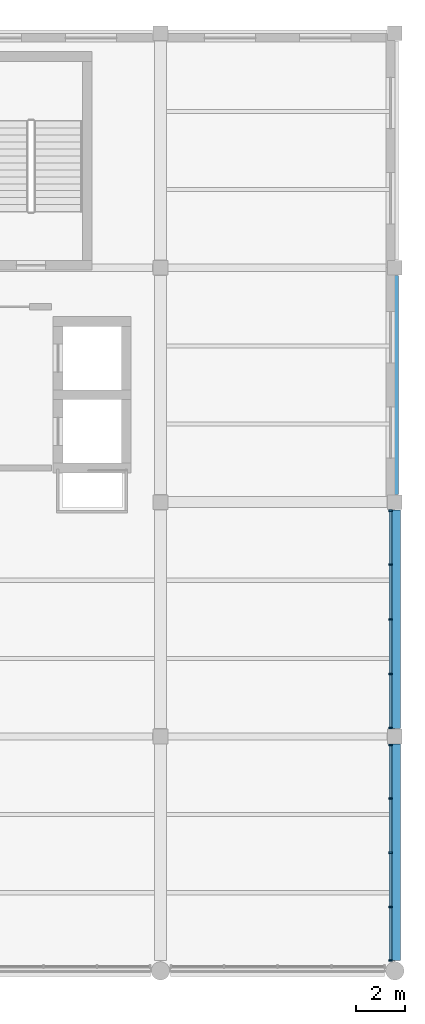
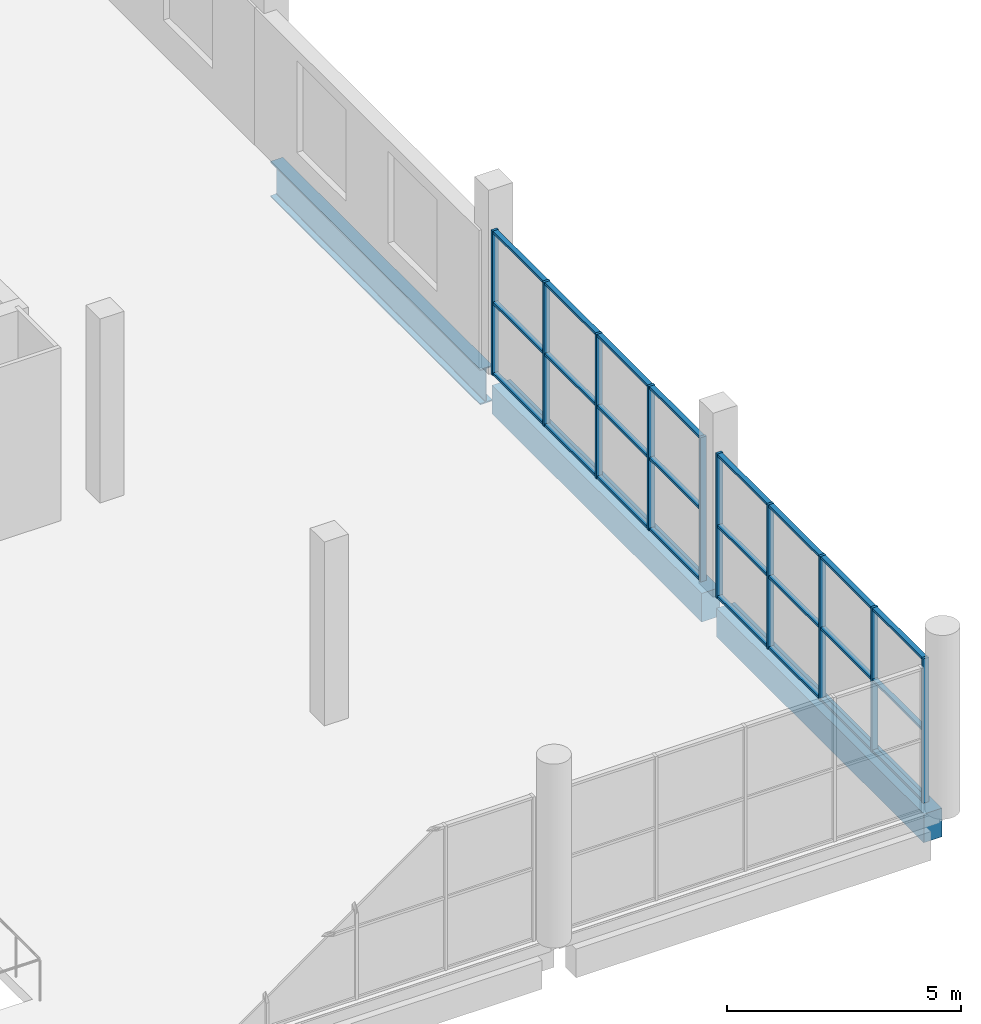
# One storey, part 42 of 99: 34 members, 3 beams, 2 elements without a shape of their own.
"""IFC4 building model written with IfcOpenShell, lengths in metres."""

from ifc_helpers import new_model, si_unit, direction, frame, origin, origin_2d, place, context, subcontext, project, spatial, rectangle, i_section, extrude, material, layer, layer_set, material_profile, profile_set, type_object, element, aggregate, save


model = new_model("IFC4")

# Units and contexts
model_context = context("Model", 3, precision=1e-05, world=origin(), true_north=direction((0.0, 1.0)))
body_context = subcontext(model_context, "Body", "Model", "MODEL_VIEW")
ifc_project = project(units=[si_unit("LENGTHUNIT", "METRE"), si_unit("AREAUNIT", "SQUARE_METRE"), si_unit("VOLUMEUNIT", "CUBIC_METRE"), si_unit("PLANEANGLEUNIT", "RADIAN"), si_unit("MASSUNIT", "GRAM", prefix="KILO")], contexts=[model_context])

# Site, building, storey
site_placement = place(None, origin())
site = spatial("IfcSite", under=ifc_project, at=site_placement, CompositionType="ELEMENT")
building_placement = place(site_placement, origin())
building = spatial("IfcBuilding", under=site, at=building_placement, Name="Caelomonte Colonnade Arena", CompositionType="ELEMENT")
storey_placement = place(building_placement, frame((0.0, 0.0, 4.800048828125)))
storey = spatial("IfcBuildingStorey", under=building, at=storey_placement, Name="L01", CompositionType="ELEMENT", Elevation=4.800048828125)

# Curtain wall, members
ifc_material_1 = material(Name="Bronze anodised aluminium and low-E glazing", Category="aluminium")
ifc_layer_1 = layer(ifc_material_1, 0.179931640625)
ifc_layer_set_1 = layer_set([ifc_layer_1], Name="Bronze anodised aluminium and low-E glazing")
curtain_wall_type_1 = type_object("IfcCurtainWallType", Name="ENV-CW-CW-L01-92-38", PredefinedType="USERDEFINED", material=ifc_layer_set_1)
curtain_wall_1_placement = place(storey_placement, origin())
curtain_wall_1 = element("IfcCurtainWall", 1, at=curtain_wall_1_placement, inside=storey, type_object=curtain_wall_type_1, Name="L01 unitized curtain wall CW-L01-1918-0050", ObjectType="UNITIZED CURTAIN WALL", PredefinedType="USERDEFINED")
ifc_material_2 = material(Name="Bronze anodised aluminium AA6063-T6", Category="aluminium")
ifc_material_profile_1 = material_profile(ifc_material_2, rectangle(XDim=0.06494140625, YDim=0.14990234375, at=origin_2d()), Name="CWM-65X150")
ifc_profile_set_1 = profile_set([ifc_material_profile_1], Name="Bronze anodised aluminium AA6063-T6")
member_type_1 = type_object("IfcMemberType", Name="ENV-CW-MULL2", PredefinedType="MULLION", material=ifc_profile_set_1)
member_1_placement = place(storey_placement, frame((191.820068359375, 0.427490234375, 0.0), z_axis=(0.0, 0.0, 1.0), x_axis=(0.0, 1.0, 0.0)))
member_1 = element("IfcMember", 2, at=member_1_placement, type_object=member_type_1, Name="CW-L01-92-38 mullion 1", PredefinedType="MULLION", context=body_context, shape_type="SweptSolid", body=[
    extrude(rectangle(XDim=0.06494140625, YDim=0.14990234375, at=origin_2d()), origin(), (0.0, 0.0, 1.0), 3.77001953125),
])
member_2_placement = place(storey_placement, frame((191.820068359375, 2.6162109375, 0.0), z_axis=(0.0, 0.0, 1.0), x_axis=(0.0, 1.0, 0.0)))
member_2 = element("IfcMember", 3, at=member_2_placement, type_object=member_type_1, Name="CW-L01-92-38 mullion 2", PredefinedType="MULLION", context=body_context, shape_type="SweptSolid", body=[
    extrude(rectangle(XDim=0.06494140625, YDim=0.14990234375, at=origin_2d()), origin(), (0.0, 0.0, 1.0), 3.77001953125),
])
member_3_placement = place(storey_placement, frame((191.820068359375, 4.83740234375, 0.0), z_axis=(0.0, 0.0, 1.0), x_axis=(0.0, 1.0, 0.0)))
member_3 = element("IfcMember", 4, at=member_3_placement, type_object=member_type_1, Name="CW-L01-92-38 mullion 3", PredefinedType="MULLION", context=body_context, shape_type="SweptSolid", body=[
    extrude(rectangle(XDim=0.06494140625, YDim=0.14990234375, at=origin_2d()), origin(), (0.0, 0.0, 1.0), 3.77001953125),
])
member_4_placement = place(storey_placement, frame((191.820068359375, 7.058837890625, 0.0), z_axis=(0.0, 0.0, 1.0), x_axis=(0.0, 1.0, 0.0)))
member_4 = element("IfcMember", 5, at=member_4_placement, type_object=member_type_1, Name="CW-L01-92-38 mullion 4", PredefinedType="MULLION", context=body_context, shape_type="SweptSolid", body=[
    extrude(rectangle(XDim=0.06494140625, YDim=0.14990234375, at=origin_2d()), origin(), (0.0, 0.0, 1.0), 3.77001953125),
])
member_5_placement = place(storey_placement, frame((191.820068359375, 9.24755859375, 0.0), z_axis=(0.0, 0.0, 1.0), x_axis=(0.0, 1.0, 0.0)))
member_5 = element("IfcMember", 6, at=member_5_placement, type_object=member_type_1, Name="CW-L01-92-38 mullion 5", PredefinedType="MULLION", context=body_context, shape_type="SweptSolid", body=[
    extrude(rectangle(XDim=0.06494140625, YDim=0.14990234375, at=origin_2d()), origin(), (0.0, 0.0, 1.0), 3.77001953125),
])

ifc_layer_2 = layer(ifc_material_1, 0.179931640625)
ifc_layer_set_2 = layer_set([ifc_layer_2], Name="Bronze anodised aluminium and low-E glazing")
curtain_wall_type_2 = type_object("IfcCurtainWallType", Name="ENV-CW-CW-L01-96-38", PredefinedType="USERDEFINED", material=ifc_layer_set_2)
curtain_wall_2_placement = place(storey_placement, origin())
curtain_wall_2 = element("IfcCurtainWall", 7, at=curtain_wall_2_placement, inside=storey, type_object=curtain_wall_type_2, Name="L01 unitized curtain wall CW-L01-1918-0144", ObjectType="UNITIZED CURTAIN WALL", PredefinedType="USERDEFINED")
member_6_placement = place(storey_placement, frame((191.820068359375, 9.952392578125, 0.0), z_axis=(0.0, 0.0, 1.0), x_axis=(0.0, 1.0, 0.0)))
member_6 = element("IfcMember", 8, at=member_6_placement, type_object=member_type_1, Name="CW-L01-96-38 mullion 1", PredefinedType="MULLION", context=body_context, shape_type="SweptSolid", body=[
    extrude(rectangle(XDim=0.06494140625, YDim=0.14990234375, at=origin_2d()), origin(), (0.0, 0.0, 1.0), 3.77001953125),
])
member_7_placement = place(storey_placement, frame((191.820068359375, 12.159912109375, 0.0), z_axis=(0.0, 0.0, 1.0), x_axis=(0.0, 1.0, 0.0)))
member_7 = element("IfcMember", 9, at=member_7_placement, type_object=member_type_1, Name="CW-L01-96-38 mullion 2", PredefinedType="MULLION", context=body_context, shape_type="SweptSolid", body=[
    extrude(rectangle(XDim=0.06494140625, YDim=0.14990234375, at=origin_2d()), origin(), (0.0, 0.0, 1.0), 3.77001953125),
])
member_8_placement = place(storey_placement, frame((191.820068359375, 14.39990234375, 0.0), z_axis=(0.0, 0.0, 1.0), x_axis=(0.0, 1.0, 0.0)))
member_8 = element("IfcMember", 10, at=member_8_placement, type_object=member_type_1, Name="CW-L01-96-38 mullion 3", PredefinedType="MULLION", context=body_context, shape_type="SweptSolid", body=[
    extrude(rectangle(XDim=0.06494140625, YDim=0.14990234375, at=origin_2d()), origin(), (0.0, 0.0, 1.0), 3.77001953125),
])
member_9_placement = place(storey_placement, frame((191.820068359375, 16.639892578125, 0.0), z_axis=(0.0, 0.0, 1.0), x_axis=(0.0, 1.0, 0.0)))
member_9 = element("IfcMember", 11, at=member_9_placement, type_object=member_type_1, Name="CW-L01-96-38 mullion 4", PredefinedType="MULLION", context=body_context, shape_type="SweptSolid", body=[
    extrude(rectangle(XDim=0.06494140625, YDim=0.14990234375, at=origin_2d()), origin(), (0.0, 0.0, 1.0), 3.77001953125),
])
member_10_placement = place(storey_placement, frame((191.820068359375, 18.847412109375, 0.0), z_axis=(0.0, 0.0, 1.0), x_axis=(0.0, 1.0, 0.0)))
member_10 = element("IfcMember", 12, at=member_10_placement, type_object=member_type_1, Name="CW-L01-96-38 mullion 5", PredefinedType="MULLION", context=body_context, shape_type="SweptSolid", body=[
    extrude(rectangle(XDim=0.06494140625, YDim=0.14990234375, at=origin_2d()), origin(), (0.0, 0.0, 1.0), 3.77001953125),
])

# Member
ifc_material_profile_2 = material_profile(ifc_material_2, rectangle(XDim=0.06494140625, YDim=0.1201171875, at=origin_2d()), Name="CWT-65X120")
ifc_profile_set_2 = profile_set([ifc_material_profile_2], Name="Bronze anodised aluminium AA6063-T6")
member_type_2 = type_object("IfcMemberType", Name="ENV-CW-TRAN2", PredefinedType="USERDEFINED", material=ifc_profile_set_2)
member_11_placement = place(storey_placement, frame((191.820068359375, 0.4599609375, 0.032470703125), z_axis=(0.0, 1.0, 0.0), x_axis=(0.0, 0.0, 1.0)))
member_11 = element("IfcMember", 13, at=member_11_placement, type_object=member_type_2, Name="CW-L01-92-38 transom 1.1", ObjectType="TRANSOM", PredefinedType="USERDEFINED", context=body_context, shape_type="SweptSolid", body=[
    extrude(rectangle(XDim=0.06494140625, YDim=0.1201171875, at=origin_2d()), origin(), (0.0, 0.0, 1.0), 2.123779296875),
])

member_12_placement = place(storey_placement, frame((191.820068359375, 0.4599609375, 1.885009765625), z_axis=(0.0, 1.0, 0.0), x_axis=(0.0, 0.0, 1.0)))
member_12 = element("IfcMember", 14, at=member_12_placement, type_object=member_type_2, Name="CW-L01-92-38 transom 1.2", ObjectType="TRANSOM", PredefinedType="USERDEFINED", context=body_context, shape_type="SweptSolid", body=[
    extrude(rectangle(XDim=0.06494140625, YDim=0.1201171875, at=origin_2d()), origin(), (0.0, 0.0, 1.0), 2.123779296875),
])

member_13_placement = place(storey_placement, frame((191.820068359375, 0.4599609375, 3.737548828125), z_axis=(0.0, 1.0, 0.0), x_axis=(0.0, 0.0, 1.0)))
member_13 = element("IfcMember", 15, at=member_13_placement, type_object=member_type_2, Name="CW-L01-92-38 transom 1.3", ObjectType="TRANSOM", PredefinedType="USERDEFINED", context=body_context, shape_type="SweptSolid", body=[
    extrude(rectangle(XDim=0.06494140625, YDim=0.1201171875, at=origin_2d()), origin(), (0.0, 0.0, 1.0), 2.123779296875),
])

member_14_placement = place(storey_placement, frame((191.820068359375, 2.648681640625, 0.032470703125), z_axis=(0.0, 1.0, 0.0), x_axis=(0.0, 0.0, 1.0)))
member_14 = element("IfcMember", 16, at=member_14_placement, type_object=member_type_2, Name="CW-L01-92-38 transom 2.1", ObjectType="TRANSOM", PredefinedType="USERDEFINED", context=body_context, shape_type="SweptSolid", body=[
    extrude(rectangle(XDim=0.06494140625, YDim=0.1201171875, at=origin_2d()), origin(), (0.0, 0.0, 1.0), 2.15625),
])

member_15_placement = place(storey_placement, frame((191.820068359375, 2.648681640625, 1.885009765625), z_axis=(0.0, 1.0, 0.0), x_axis=(0.0, 0.0, 1.0)))
member_15 = element("IfcMember", 17, at=member_15_placement, type_object=member_type_2, Name="CW-L01-92-38 transom 2.2", ObjectType="TRANSOM", PredefinedType="USERDEFINED", context=body_context, shape_type="SweptSolid", body=[
    extrude(rectangle(XDim=0.06494140625, YDim=0.1201171875, at=origin_2d()), origin(), (0.0, 0.0, 1.0), 2.15625),
])

member_16_placement = place(storey_placement, frame((191.820068359375, 2.648681640625, 3.737548828125), z_axis=(0.0, 1.0, 0.0), x_axis=(0.0, 0.0, 1.0)))
member_16 = element("IfcMember", 18, at=member_16_placement, type_object=member_type_2, Name="CW-L01-92-38 transom 2.3", ObjectType="TRANSOM", PredefinedType="USERDEFINED", context=body_context, shape_type="SweptSolid", body=[
    extrude(rectangle(XDim=0.06494140625, YDim=0.1201171875, at=origin_2d()), origin(), (0.0, 0.0, 1.0), 2.15625),
])

member_17_placement = place(storey_placement, frame((191.820068359375, 4.8701171875, 0.032470703125), z_axis=(0.0, 1.0, 0.0), x_axis=(0.0, 0.0, 1.0)))
member_17 = element("IfcMember", 19, at=member_17_placement, type_object=member_type_2, Name="CW-L01-92-38 transom 3.1", ObjectType="TRANSOM", PredefinedType="USERDEFINED", context=body_context, shape_type="SweptSolid", body=[
    extrude(rectangle(XDim=0.06494140625, YDim=0.1201171875, at=origin_2d()), origin(), (0.0, 0.0, 1.0), 2.15625),
])

member_18_placement = place(storey_placement, frame((191.820068359375, 4.8701171875, 1.885009765625), z_axis=(0.0, 1.0, 0.0), x_axis=(0.0, 0.0, 1.0)))
member_18 = element("IfcMember", 20, at=member_18_placement, type_object=member_type_2, Name="CW-L01-92-38 transom 3.2", ObjectType="TRANSOM", PredefinedType="USERDEFINED", context=body_context, shape_type="SweptSolid", body=[
    extrude(rectangle(XDim=0.06494140625, YDim=0.1201171875, at=origin_2d()), origin(), (0.0, 0.0, 1.0), 2.15625),
])

member_19_placement = place(storey_placement, frame((191.820068359375, 4.8701171875, 3.737548828125), z_axis=(0.0, 1.0, 0.0), x_axis=(0.0, 0.0, 1.0)))
member_19 = element("IfcMember", 21, at=member_19_placement, type_object=member_type_2, Name="CW-L01-92-38 transom 3.3", ObjectType="TRANSOM", PredefinedType="USERDEFINED", context=body_context, shape_type="SweptSolid", body=[
    extrude(rectangle(XDim=0.06494140625, YDim=0.1201171875, at=origin_2d()), origin(), (0.0, 0.0, 1.0), 2.15625),
])

member_20_placement = place(storey_placement, frame((191.820068359375, 7.09130859375, 0.032470703125), z_axis=(0.0, 1.0, 0.0), x_axis=(0.0, 0.0, 1.0)))
member_20 = element("IfcMember", 22, at=member_20_placement, type_object=member_type_2, Name="CW-L01-92-38 transom 4.1", ObjectType="TRANSOM", PredefinedType="USERDEFINED", context=body_context, shape_type="SweptSolid", body=[
    extrude(rectangle(XDim=0.06494140625, YDim=0.1201171875, at=origin_2d()), origin(), (0.0, 0.0, 1.0), 2.123779296875),
])

member_21_placement = place(storey_placement, frame((191.820068359375, 7.09130859375, 1.885009765625), z_axis=(0.0, 1.0, 0.0), x_axis=(0.0, 0.0, 1.0)))
member_21 = element("IfcMember", 23, at=member_21_placement, type_object=member_type_2, Name="CW-L01-92-38 transom 4.2", ObjectType="TRANSOM", PredefinedType="USERDEFINED", context=body_context, shape_type="SweptSolid", body=[
    extrude(rectangle(XDim=0.06494140625, YDim=0.1201171875, at=origin_2d()), origin(), (0.0, 0.0, 1.0), 2.123779296875),
])

member_22_placement = place(storey_placement, frame((191.820068359375, 7.09130859375, 3.737548828125), z_axis=(0.0, 1.0, 0.0), x_axis=(0.0, 0.0, 1.0)))
member_22 = element("IfcMember", 24, at=member_22_placement, type_object=member_type_2, Name="CW-L01-92-38 transom 4.3", ObjectType="TRANSOM", PredefinedType="USERDEFINED", context=body_context, shape_type="SweptSolid", body=[
    extrude(rectangle(XDim=0.06494140625, YDim=0.1201171875, at=origin_2d()), origin(), (0.0, 0.0, 1.0), 2.123779296875),
])

aggregate(curtain_wall_1, [member_1, member_2, member_3, member_4, member_5, member_11, member_12, member_13, member_14, member_15, member_16, member_17, member_18, member_19, member_20, member_21, member_22])

member_23_placement = place(storey_placement, frame((191.820068359375, 9.985107421875, 0.032470703125), z_axis=(0.0, 1.0, 0.0), x_axis=(0.0, 0.0, 1.0)))
member_23 = element("IfcMember", 25, at=member_23_placement, type_object=member_type_2, Name="CW-L01-96-38 transom 1.1", ObjectType="TRANSOM", PredefinedType="USERDEFINED", context=body_context, shape_type="SweptSolid", body=[
    extrude(rectangle(XDim=0.06494140625, YDim=0.1201171875, at=origin_2d()), origin(), (0.0, 0.0, 1.0), 2.142333984375),
])

member_24_placement = place(storey_placement, frame((191.820068359375, 9.985107421875, 1.885009765625), z_axis=(0.0, 1.0, 0.0), x_axis=(0.0, 0.0, 1.0)))
member_24 = element("IfcMember", 26, at=member_24_placement, type_object=member_type_2, Name="CW-L01-96-38 transom 1.2", ObjectType="TRANSOM", PredefinedType="USERDEFINED", context=body_context, shape_type="SweptSolid", body=[
    extrude(rectangle(XDim=0.06494140625, YDim=0.1201171875, at=origin_2d()), origin(), (0.0, 0.0, 1.0), 2.142333984375),
])

member_25_placement = place(storey_placement, frame((191.820068359375, 9.985107421875, 3.737548828125), z_axis=(0.0, 1.0, 0.0), x_axis=(0.0, 0.0, 1.0)))
member_25 = element("IfcMember", 27, at=member_25_placement, type_object=member_type_2, Name="CW-L01-96-38 transom 1.3", ObjectType="TRANSOM", PredefinedType="USERDEFINED", context=body_context, shape_type="SweptSolid", body=[
    extrude(rectangle(XDim=0.06494140625, YDim=0.1201171875, at=origin_2d()), origin(), (0.0, 0.0, 1.0), 2.142333984375),
])

member_26_placement = place(storey_placement, frame((191.820068359375, 12.1923828125, 0.032470703125), z_axis=(0.0, 1.0, 0.0), x_axis=(0.0, 0.0, 1.0)))
member_26 = element("IfcMember", 28, at=member_26_placement, type_object=member_type_2, Name="CW-L01-96-38 transom 2.1", ObjectType="TRANSOM", PredefinedType="USERDEFINED", context=body_context, shape_type="SweptSolid", body=[
    extrude(rectangle(XDim=0.06494140625, YDim=0.1201171875, at=origin_2d()), origin(), (0.0, 0.0, 1.0), 2.175048828125),
])

member_27_placement = place(storey_placement, frame((191.820068359375, 12.1923828125, 1.885009765625), z_axis=(0.0, 1.0, 0.0), x_axis=(0.0, 0.0, 1.0)))
member_27 = element("IfcMember", 29, at=member_27_placement, type_object=member_type_2, Name="CW-L01-96-38 transom 2.2", ObjectType="TRANSOM", PredefinedType="USERDEFINED", context=body_context, shape_type="SweptSolid", body=[
    extrude(rectangle(XDim=0.06494140625, YDim=0.1201171875, at=origin_2d()), origin(), (0.0, 0.0, 1.0), 2.175048828125),
])

member_28_placement = place(storey_placement, frame((191.820068359375, 12.1923828125, 3.737548828125), z_axis=(0.0, 1.0, 0.0), x_axis=(0.0, 0.0, 1.0)))
member_28 = element("IfcMember", 30, at=member_28_placement, type_object=member_type_2, Name="CW-L01-96-38 transom 2.3", ObjectType="TRANSOM", PredefinedType="USERDEFINED", context=body_context, shape_type="SweptSolid", body=[
    extrude(rectangle(XDim=0.06494140625, YDim=0.1201171875, at=origin_2d()), origin(), (0.0, 0.0, 1.0), 2.175048828125),
])

member_29_placement = place(storey_placement, frame((191.820068359375, 14.4326171875, 0.032470703125), z_axis=(0.0, 1.0, 0.0), x_axis=(0.0, 0.0, 1.0)))
member_29 = element("IfcMember", 31, at=member_29_placement, type_object=member_type_2, Name="CW-L01-96-38 transom 3.1", ObjectType="TRANSOM", PredefinedType="USERDEFINED", context=body_context, shape_type="SweptSolid", body=[
    extrude(rectangle(XDim=0.06494140625, YDim=0.1201171875, at=origin_2d()), origin(), (0.0, 0.0, 1.0), 2.1748046875),
])

member_30_placement = place(storey_placement, frame((191.820068359375, 14.4326171875, 1.885009765625), z_axis=(0.0, 1.0, 0.0), x_axis=(0.0, 0.0, 1.0)))
member_30 = element("IfcMember", 32, at=member_30_placement, type_object=member_type_2, Name="CW-L01-96-38 transom 3.2", ObjectType="TRANSOM", PredefinedType="USERDEFINED", context=body_context, shape_type="SweptSolid", body=[
    extrude(rectangle(XDim=0.06494140625, YDim=0.1201171875, at=origin_2d()), origin(), (0.0, 0.0, 1.0), 2.1748046875),
])

member_31_placement = place(storey_placement, frame((191.820068359375, 14.4326171875, 3.737548828125), z_axis=(0.0, 1.0, 0.0), x_axis=(0.0, 0.0, 1.0)))
member_31 = element("IfcMember", 33, at=member_31_placement, type_object=member_type_2, Name="CW-L01-96-38 transom 3.3", ObjectType="TRANSOM", PredefinedType="USERDEFINED", context=body_context, shape_type="SweptSolid", body=[
    extrude(rectangle(XDim=0.06494140625, YDim=0.1201171875, at=origin_2d()), origin(), (0.0, 0.0, 1.0), 2.1748046875),
])

member_32_placement = place(storey_placement, frame((191.820068359375, 16.672607421875, 0.032470703125), z_axis=(0.0, 1.0, 0.0), x_axis=(0.0, 0.0, 1.0)))
member_32 = element("IfcMember", 34, at=member_32_placement, type_object=member_type_2, Name="CW-L01-96-38 transom 4.1", ObjectType="TRANSOM", PredefinedType="USERDEFINED", context=body_context, shape_type="SweptSolid", body=[
    extrude(rectangle(XDim=0.06494140625, YDim=0.1201171875, at=origin_2d()), origin(), (0.0, 0.0, 1.0), 2.142333984375),
])

member_33_placement = place(storey_placement, frame((191.820068359375, 16.672607421875, 1.885009765625), z_axis=(0.0, 1.0, 0.0), x_axis=(0.0, 0.0, 1.0)))
member_33 = element("IfcMember", 35, at=member_33_placement, type_object=member_type_2, Name="CW-L01-96-38 transom 4.2", ObjectType="TRANSOM", PredefinedType="USERDEFINED", context=body_context, shape_type="SweptSolid", body=[
    extrude(rectangle(XDim=0.06494140625, YDim=0.1201171875, at=origin_2d()), origin(), (0.0, 0.0, 1.0), 2.142333984375),
])

member_34_placement = place(storey_placement, frame((191.820068359375, 16.672607421875, 3.737548828125), z_axis=(0.0, 1.0, 0.0), x_axis=(0.0, 0.0, 1.0)))
member_34 = element("IfcMember", 36, at=member_34_placement, type_object=member_type_2, Name="CW-L01-96-38 transom 4.3", ObjectType="TRANSOM", PredefinedType="USERDEFINED", context=body_context, shape_type="SweptSolid", body=[
    extrude(rectangle(XDim=0.06494140625, YDim=0.1201171875, at=origin_2d()), origin(), (0.0, 0.0, 1.0), 2.142333984375),
])

aggregate(curtain_wall_2, [member_6, member_7, member_8, member_9, member_10, member_23, member_24, member_25, member_26, member_27, member_28, member_29, member_30, member_31, member_32, member_33, member_34])

# Beams
ifc_material_3 = material(Name="Wide-flange steel ASTM A992 Grade 50", Category="steel")
ifc_material_profile_3 = material_profile(ifc_material_3, i_section(OverallWidth=0.307861328125, OverallDepth=0.927001953125, WebThickness=0.019287109375, FlangeThickness=0.031982421875, FilletRadius=0.020263671875, at=origin_2d()), Name="W36X194")
ifc_profile_set_3 = profile_set([ifc_material_profile_3], Name="Wide-flange steel ASTM A992 Grade 50")
beam_type_1 = type_object("IfcBeamType", Name="STR-BM-EAVES2", PredefinedType="SPANDREL", material=ifc_profile_set_3)
beam_1_placement = place(storey_placement, frame((192.0, 19.51708984375, -0.763427734375), z_axis=(0.0, 1.0, 0.0), x_axis=(-1.0, 0.0, 0.0)))
element("IfcBeam", 37, at=beam_1_placement, inside=storey, type_object=beam_type_1, Name="L01 girder BMY-L01-1920-0192", PredefinedType="SPANDREL", context=body_context, shape_type="SweptSolid", body=[
    extrude(i_section(OverallWidth=0.307861328125, OverallDepth=0.927001953125, WebThickness=0.019287109375, FlangeThickness=0.031982421875, FilletRadius=0.020263671875, at=origin_2d()), origin(), (0.0, 0.0, 1.0), 8.9658203125),
])
ifc_material_4 = material(Name="Concrete C40/50", Category="concrete")
ifc_material_profile_4 = material_profile(ifc_material_4, rectangle(XDim=0.449951171875, YDim=0.75, at=origin_2d()), Name="RC450X750")
ifc_profile_set_4 = profile_set([ifc_material_profile_4], Name="Concrete C40/50")
beam_type_2 = type_object("IfcBeamType", Name="STR-BM-SPAN24", PredefinedType="SPANDREL", material=ifc_profile_set_4)
beam_2_placement = place(storey_placement, frame((192.0, 0.4169921875, -0.675048828125), z_axis=(0.0, 1.0, 0.0), x_axis=(-1.0, 0.0, 0.0)))
element("IfcBeam", 38, at=beam_2_placement, inside=storey, type_object=beam_type_2, Name="L01 girder BMY-L01-1920-0000", PredefinedType="SPANDREL", context=body_context, shape_type="SweptSolid", body=[
    extrude(rectangle(XDim=0.449951171875, YDim=0.75, at=origin_2d()), origin(), (0.0, 0.0, 1.0), 8.865966796875),
])
beam_3_placement = place(storey_placement, frame((192.0, 9.9169921875, -0.675048828125), z_axis=(0.0, 1.0, 0.0), x_axis=(-1.0, 0.0, 0.0)))
element("IfcBeam", 39, at=beam_3_placement, inside=storey, type_object=beam_type_2, Name="L01 girder BMY-L01-1920-0096", PredefinedType="SPANDREL", context=body_context, shape_type="SweptSolid", body=[
    extrude(rectangle(XDim=0.449951171875, YDim=0.75, at=origin_2d()), origin(), (0.0, 0.0, 1.0), 8.966064453125),
])

save(model, "model.ifc")
